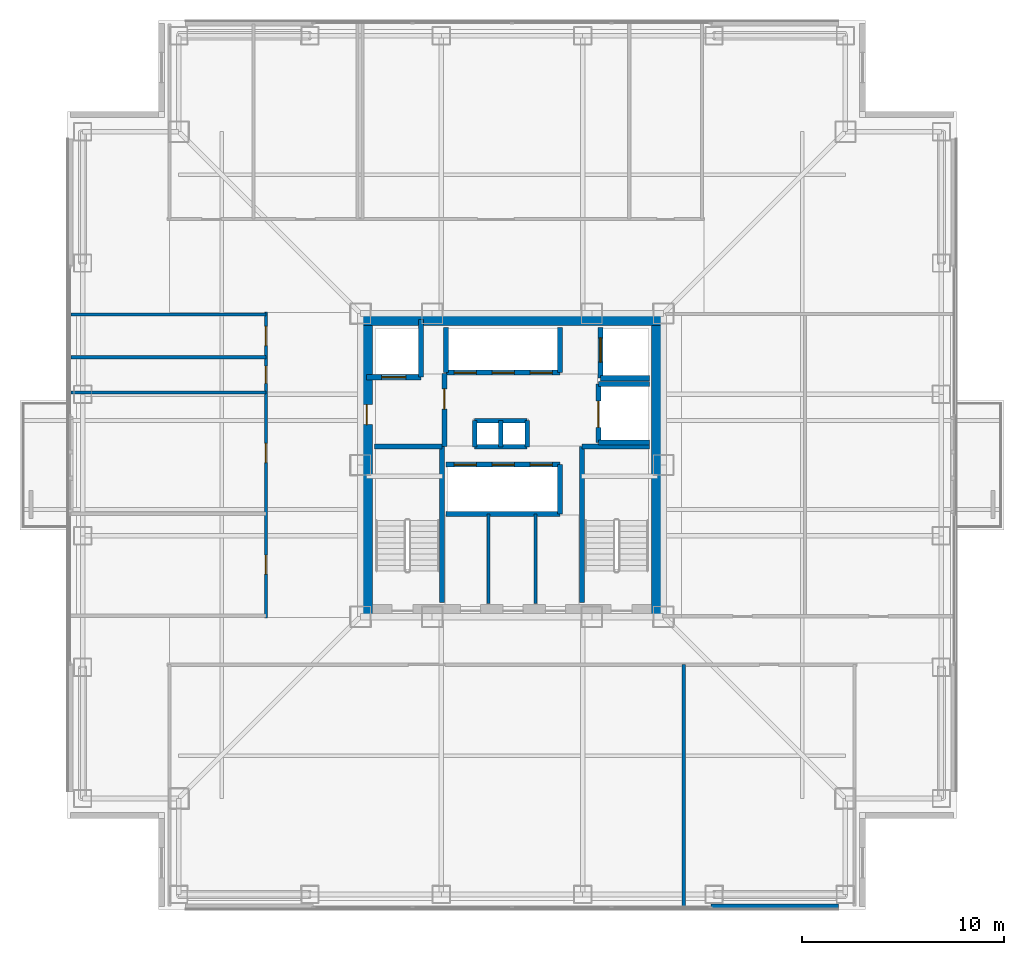
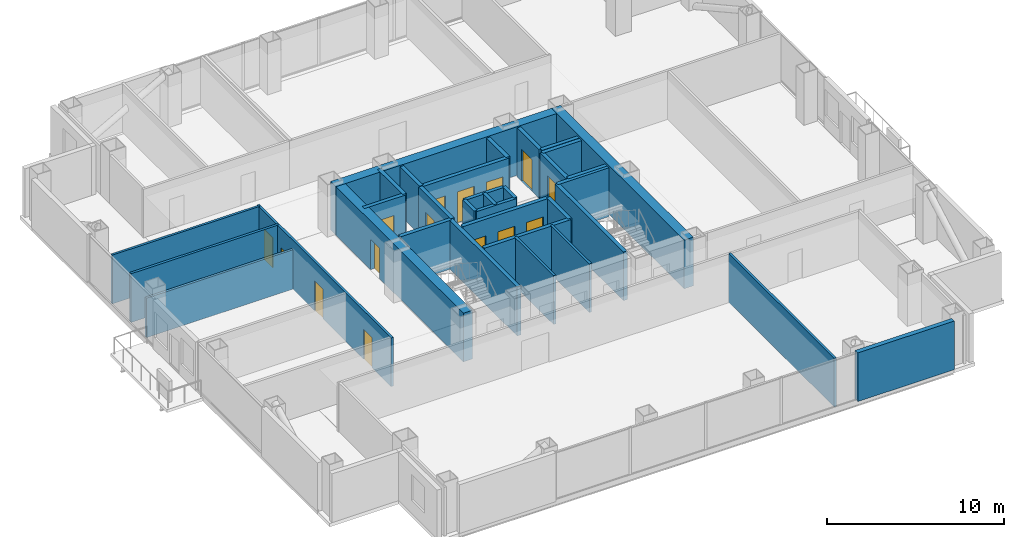
# One storey, part 12 of 16: 34 walls, 15 doors, 15 openings.
"""IFC4 building model written with IfcOpenShell, lengths in metres."""

from ifc_helpers import new_model, si_unit, direction, frame, frame_2d, origin, place, context, subcontext, project, spatial, rectangle, extrude, material, layer, layer_set, type_object, element, fill, save


model = new_model("IFC4")

# Units and contexts
model_context = context("Model", 3, precision=1e-05, world=origin(), true_north=direction((0.0, 1.0)))
body_context = subcontext(model_context, "Body", "Model", "MODEL_VIEW")
ifc_project = project(units=[si_unit("LENGTHUNIT", "METRE"), si_unit("AREAUNIT", "SQUARE_METRE"), si_unit("VOLUMEUNIT", "CUBIC_METRE"), si_unit("PLANEANGLEUNIT", "RADIAN"), si_unit("MASSUNIT", "GRAM", prefix="KILO")], contexts=[model_context])

# Site, building, storey
site_placement = place(None, origin())
site = spatial("IfcSite", under=ifc_project, at=site_placement, CompositionType="ELEMENT")
building_placement = place(site_placement, origin())
building = spatial("IfcBuilding", under=site, at=building_placement, Name="Trevonay Congress Spire", CompositionType="ELEMENT")
storey_placement = place(building_placement, frame((0.0, 0.0, 144.39990234375)))
storey = spatial("IfcBuildingStorey", under=building, at=storey_placement, Name="L37", CompositionType="ELEMENT", Elevation=144.39990234375)

# Wall
ifc_material_1 = material(Name="Concrete C60/75", Category="concrete")
ifc_layer_1 = layer(ifc_material_1, 0.60009765625, Name="Concrete C60/75")
ifc_layer_set_1 = layer_set([ifc_layer_1], Name="Concrete C60/75")
wall_type_1 = type_object("IfcWallType", Name="WAL-CORE-600", PredefinedType="SHEAR", material=ifc_layer_set_1)
wall_1_placement = place(storey_placement, frame((-7.5, 7.199951171875, 0.0), z_axis=(0.0, 0.0, 1.0), x_axis=(1.0, 0.0, 0.0)))
element("IfcWall", 1, at=wall_1_placement, inside=storey, type_object=wall_type_1, Name="L37 North structural core shear wall", PredefinedType="SHEAR", context=body_context, shape_type="SweptSolid", body=[
    extrude(rectangle(XDim=15.0, YDim=0.60009765625, at=frame_2d((7.5, 0.0))), origin(), (0.0, 0.0, 1.0), 3.360107421875),
])

# Wall, opening, door
wall_2_placement = place(storey_placement, frame((-7.199951171875, -7.5, 0.0), z_axis=(0.0, 0.0, 1.0), x_axis=(0.0, 1.0, 0.0)))
wall_2 = element("IfcWall", 2, at=wall_2_placement, inside=storey, type_object=wall_type_1, Name="L37 West structural core shear wall", PredefinedType="SHEAR", context=body_context, shape_type="SweptSolid", body=[
    extrude(rectangle(XDim=15.0, YDim=0.60009765625, at=frame_2d((7.5, 0.0))), origin(), (0.0, 0.0, 1.0), 3.360107421875),
])
opening_1_placement = place(wall_2_placement, frame((9.5, 0.0, 0.0)))
opening_1 = element("IfcOpeningElement", 3, at=opening_1_placement, cuts=wall_2, Name="Opening D06", PredefinedType="OPENING", context=body_context, shape_type="SweptSolid", body=[
    extrude(rectangle(XDim=1.0, YDim=2.080078125, at=frame_2d((0.5, 1.0400390625))), frame((0.0, 0.31005859375, 0.0), z_axis=(0.0, -1.0, 0.0), x_axis=(1.0, 0.0, 0.0)), (0.0, 0.0, 1.0), 0.6201171875),
])
ifc_material_2 = material(Name="Steel ASTM A572 Grade 50", Category="steel")
door_type_1 = type_object("IfcDoorType", Name="DOR-FIRE-100", OperationType="NOTDEFINED", PredefinedType="DOOR", material=ifc_material_2)
door_1_placement = place(opening_1_placement, origin())
door_1 = element("IfcDoor", 4, at=door_1_placement, inside=storey, type_object=door_type_1, Name="L37 Firefighting Lift Lobby West Corridor Door", OperationType="SINGLE_SWING_RIGHT", OverallHeight=2.080078125, OverallWidth=1.0, PredefinedType="DOOR", context=body_context, shape_type="SweptSolid", body=[
    extrude(rectangle(XDim=1.0, YDim=2.080078125, at=frame_2d((0.5, 1.0400390625))), frame((0.0, 0.02490234375, 0.0), z_axis=(0.0, -1.0, 0.0), x_axis=(1.0, 0.0, 0.0)), (0.0, 0.0, 1.0), 0.050048828125),
])
fill(opening_1, door_1)

# Wall
wall_3_placement = place(storey_placement, frame((7.199951171875, -7.5, 0.0), z_axis=(0.0, 0.0, 1.0), x_axis=(0.0, 1.0, 0.0)))
element("IfcWall", 5, at=wall_3_placement, inside=storey, type_object=wall_type_1, Name="L37 East structural core shear wall", PredefinedType="SHEAR", context=body_context, shape_type="SweptSolid", body=[
    extrude(rectangle(XDim=15.0, YDim=0.60009765625, at=frame_2d((7.5, 0.0))), origin(), (0.0, 0.0, 1.0), 3.360107421875),
])

# Wall, openings, doors
ifc_material_3 = material(Name="Concrete C40/50", Category="concrete")
ifc_layer_2 = layer(ifc_material_3, 0.14990234375, Name="Concrete C40/50")
ifc_layer_set_2 = layer_set([ifc_layer_2], Name="Concrete C40/50")
wall_type_2 = type_object("IfcWallType", Name="WAL-CORR-150", PredefinedType="PARTITIONING", material=ifc_layer_set_2)
wall_4_placement = place(storey_placement, frame((-12.179931640625, -7.570068359375, 0.0), z_axis=(0.0, 0.0, 1.0), x_axis=(0.0, 1.0, 0.0)))
wall_4 = element("IfcWall", 6, at=wall_4_placement, inside=storey, type_object=wall_type_2, Name="L37 interior wall WP-L37W-COR", PredefinedType="PARTITIONING", context=body_context, shape_type="SweptSolid", body=[
    extrude(rectangle(XDim=15.14013671875, YDim=0.14990234375, at=frame_2d((7.570068359375, 0.0))), origin(), (0.0, 0.0, 1.0), 3.360107421875),
])
opening_2_placement = place(wall_4_placement, frame((2.169921875, 0.0, 0.0)))
opening_2 = element("IfcOpeningElement", 7, at=opening_2_placement, cuts=wall_4, Name="Opening D07", PredefinedType="OPENING", context=body_context, shape_type="SweptSolid", body=[
    extrude(rectangle(XDim=0.949951171875, YDim=2.06005859375, at=frame_2d((0.47509765625, 1.030029296875))), frame((0.0, 0.0849609375, 0.0), z_axis=(0.0, -1.0, 0.0), x_axis=(1.0, 0.0, 0.0)), (0.0, 0.0, 1.0), 0.169921875),
])
opening_3_placement = place(wall_4_placement, frame((7.695068359375, 0.0, 0.0)))
opening_3 = element("IfcOpeningElement", 8, at=opening_3_placement, cuts=wall_4, Name="Opening D07", PredefinedType="OPENING", context=body_context, shape_type="SweptSolid", body=[
    extrude(rectangle(XDim=0.949951171875, YDim=2.06005859375, at=frame_2d((0.47509765625, 1.030029296875))), frame((0.0, 0.0849609375, 0.0), z_axis=(0.0, -1.0, 0.0), x_axis=(1.0, 0.0, 0.0)), (0.0, 0.0, 1.0), 0.169921875),
])
opening_4_placement = place(wall_4_placement, frame((11.614990234375, 0.0, 0.0)))
opening_4 = element("IfcOpeningElement", 9, at=opening_4_placement, cuts=wall_4, Name="Opening D10", PredefinedType="OPENING", context=body_context, shape_type="SweptSolid", body=[
    extrude(rectangle(XDim=0.85009765625, YDim=2.050048828125, at=frame_2d((0.425048828125, 1.02490234375))), frame((0.0, 0.0849609375, 0.0), z_axis=(0.0, -1.0, 0.0), x_axis=(1.0, 0.0, 0.0)), (0.0, 0.0, 1.0), 0.169921875),
])
opening_5_placement = place(wall_4_placement, frame((13.489990234375, 0.0, 0.0)))
opening_5 = element("IfcOpeningElement", 10, at=opening_5_placement, cuts=wall_4, Name="Opening D07", PredefinedType="OPENING", context=body_context, shape_type="SweptSolid", body=[
    extrude(rectangle(XDim=0.949951171875, YDim=2.06005859375, at=frame_2d((0.47509765625, 1.030029296875))), frame((0.0, 0.0849609375, 0.0), z_axis=(0.0, -1.0, 0.0), x_axis=(1.0, 0.0, 0.0)), (0.0, 0.0, 1.0), 0.169921875),
])
ifc_material_4 = material(Name="Pale Anodised Aluminium EN AW-6063-T6", Category="aluminium")
door_type_2 = type_object("IfcDoorType", Name="DOR-OFFICE-95", OperationType="NOTDEFINED", PredefinedType="DOOR", material=ifc_material_4)
door_2_placement = place(opening_2_placement, origin())
door_2 = element("IfcDoor", 11, at=door_2_placement, inside=storey, type_object=door_type_2, Name="L37 Television Broadcast Studio Door", OperationType="SINGLE_SWING_RIGHT", OverallHeight=2.06005859375, OverallWidth=0.949951171875, PredefinedType="DOOR", context=body_context, shape_type="SweptSolid", body=[
    extrude(rectangle(XDim=0.949951171875, YDim=2.06005859375, at=frame_2d((0.47509765625, 1.030029296875))), frame((0.0, 0.02490234375, 0.0), z_axis=(0.0, -1.0, 0.0), x_axis=(1.0, 0.0, 0.0)), (0.0, 0.0, 1.0), 0.050048828125),
])
fill(opening_2, door_2)
door_3_placement = place(opening_3_placement, origin())
door_3 = element("IfcDoor", 12, at=door_3_placement, inside=storey, type_object=door_type_2, Name="L37 Broadcast Control Office Door", OperationType="SINGLE_SWING_LEFT", OverallHeight=2.06005859375, OverallWidth=0.949951171875, PredefinedType="DOOR", context=body_context, shape_type="SweptSolid", body=[
    extrude(rectangle(XDim=0.949951171875, YDim=2.06005859375, at=frame_2d((0.47509765625, 1.030029296875))), frame((0.0, 0.02490234375, 0.0), z_axis=(0.0, -1.0, 0.0), x_axis=(1.0, 0.0, 0.0)), (0.0, 0.0, 1.0), 0.050048828125),
])
fill(opening_3, door_3)
door_4_placement = place(opening_5_placement, origin())
door_4 = element("IfcDoor", 13, at=door_4_placement, inside=storey, type_object=door_type_2, Name="L37 Floor Supplies and Copy Room Door", OperationType="SINGLE_SWING_LEFT", OverallHeight=2.06005859375, OverallWidth=0.949951171875, PredefinedType="DOOR", context=body_context, shape_type="SweptSolid", body=[
    extrude(rectangle(XDim=0.949951171875, YDim=2.06005859375, at=frame_2d((0.47509765625, 1.030029296875))), frame((0.0, 0.02490234375, 0.0), z_axis=(0.0, -1.0, 0.0), x_axis=(1.0, 0.0, 0.0)), (0.0, 0.0, 1.0), 0.050048828125),
])
fill(opening_5, door_4)
door_type_3 = type_object("IfcDoorType", Name="DOR-WC-85", OperationType="NOTDEFINED", PredefinedType="DOOR", material=ifc_material_4)
door_5_placement = place(opening_4_placement, origin())
door_5 = element("IfcDoor", 14, at=door_5_placement, inside=storey, type_object=door_type_3, Name="L37 Accessible WC Door", OperationType="SINGLE_SWING_RIGHT", OverallHeight=2.050048828125, OverallWidth=0.85009765625, PredefinedType="DOOR", context=body_context, shape_type="SweptSolid", body=[
    extrude(rectangle(XDim=0.85009765625, YDim=2.050048828125, at=frame_2d((0.425048828125, 1.02490234375))), frame((0.0, 0.02490234375, 0.0), z_axis=(0.0, -1.0, 0.0), x_axis=(1.0, 0.0, 0.0)), (0.0, 0.0, 1.0), 0.050048828125),
])
fill(opening_4, door_5)

# Walls
ifc_material_5 = material(Name="Precast concrete C40/50", Category="concrete")
ifc_layer_3 = layer(ifc_material_5, 0.300048828125, Name="Precast concrete C40/50")
ifc_layer_set_3 = layer_set([ifc_layer_3], Name="Precast concrete C40/50")
wall_type_3 = type_object("IfcWallType", Name="WAL-EXT-PRECAST-300", PredefinedType="SOLIDWALL", material=ifc_layer_set_3)
wall_5_placement = place(storey_placement, frame((9.85009765625, -21.8798828125, 0.0), z_axis=(0.0, 0.0, 1.0), x_axis=(1.0, 0.0, 0.0)))
element("IfcWall", 15, at=wall_5_placement, inside=storey, type_object=wall_type_3, Name="L37 SR braced-bay exterior pier wall", PredefinedType="SOLIDWALL", context=body_context, shape_type="SweptSolid", body=[
    extrude(rectangle(XDim=6.2998046875, YDim=0.300048828125, at=frame_2d((3.14990234375, 0.0))), origin(), (0.0, 0.0, 1.0), 3.360107421875),
])
ifc_layer_4 = layer(ifc_material_3, 0.14990234375, Name="Concrete C40/50")
ifc_layer_set_4 = layer_set([ifc_layer_4], Name="Concrete C40/50")
wall_type_4 = type_object("IfcWallType", Name="WAL-PART-150", PredefinedType="PARTITIONING", material=ifc_layer_set_4)
for number, where, z_axis, x_axis, name in (
    (16, (-1.169921875, -6.85009765625, 0.0), (0.0, 0.0, 1.0), (0.0, 1.0, 0.0), "L37 interior wall CW-F2A-L37"),
    (17, (1.169921875, -6.85009765625, 0.0), (0.0, 0.0, 1.0), (0.0, 1.0, 0.0), "L37 interior wall CW-F2B-L37"),
):
    element("IfcWall", number, at=place(storey_placement, frame(where, z_axis=z_axis, x_axis=x_axis)), inside=storey, type_object=wall_type_4, Name=name, PredefinedType="PARTITIONING", context=body_context, shape_type="SweptSolid", body=[
        extrude(rectangle(XDim=4.420166015625, YDim=0.14990234375, at=frame_2d((2.2099609375, 0.0))), origin(), (0.0, 0.0, 1.0), 3.360107421875),
    ])
wall_6_placement = place(storey_placement, frame((8.5, -21.820068359375, 0.0), z_axis=(0.0, 0.0, 1.0), x_axis=(0.0, 1.0, 0.0)))
element("IfcWall", 18, at=wall_6_placement, inside=storey, type_object=wall_type_4, Name="L37 interior wall WP-L37S-DIV2", PredefinedType="PARTITIONING", context=body_context, shape_type="SweptSolid", body=[
    extrude(rectangle(XDim=11.940185546875, YDim=0.14990234375, at=frame_2d((5.97021484375, 0.0))), origin(), (0.0, 0.0, 1.0), 3.360107421875),
])
wall_7_placement = place(storey_placement, frame((-21.820068359375, 3.60009765625, 0.0), z_axis=(0.0, 0.0, 1.0), x_axis=(1.0, 0.0, 0.0)))
element("IfcWall", 19, at=wall_7_placement, inside=storey, type_object=wall_type_4, Name="L37 interior wall WP-L37W-DIV3", PredefinedType="PARTITIONING", context=body_context, shape_type="SweptSolid", body=[
    extrude(rectangle(XDim=9.64013671875, YDim=0.14990234375, at=frame_2d((4.820068359375, 0.0))), origin(), (0.0, 0.0, 1.0), 2.718017578125),
])
wall_8_placement = place(storey_placement, frame((-21.820068359375, 7.449951171875, 0.0), z_axis=(0.0, 0.0, 1.0), x_axis=(1.0, 0.0, 0.0)))
element("IfcWall", 20, at=wall_8_placement, inside=storey, type_object=wall_type_4, Name="L37 interior wall WP-L37W-DIV4", PredefinedType="PARTITIONING", context=body_context, shape_type="SweptSolid", body=[
    extrude(rectangle(XDim=9.64013671875, YDim=0.14990234375, at=frame_2d((4.820068359375, 0.0))), origin(), (0.0, 0.0, 1.0), 3.360107421875),
])
ifc_layer_5 = layer(ifc_material_3, 0.219970703125, Name="Concrete C40/50")
ifc_layer_set_5 = layer_set([ifc_layer_5], Name="Concrete C40/50")
wall_type_5 = type_object("IfcWallType", Name="WAL-SHAFT-220", PredefinedType="PARTITIONING", material=ifc_layer_set_5)
for number, where, z_axis, x_axis, name in (
    (21, (-1.85009765625, 2.199951171875, 0.0), (0.0, 0.0, 1.0), (1.0, 0.0, 0.0), "L37 interior shaft wall WSH-L37-RSR-N"),
    (22, (-1.85009765625, 0.89990234375, 0.0), (0.0, 0.0, 1.0), (1.0, 0.0, 0.0), "L37 interior shaft wall WSH-L37-RSR-S"),
):
    element("IfcWall", number, at=place(storey_placement, frame(where, z_axis=z_axis, x_axis=x_axis)), inside=storey, type_object=wall_type_5, Name=name, PredefinedType="PARTITIONING", context=body_context, shape_type="SweptSolid", body=[
        extrude(rectangle(XDim=2.60009765625, YDim=0.219970703125, at=frame_2d((1.300048828125, 0.0))), origin(), (0.0, 0.0, 1.0), 3.360107421875),
    ])
for number, where, z_axis, x_axis, name in (
    (23, (-0.550048828125, 0.89990234375, 0.0), (0.0, 0.0, 1.0), (0.0, 1.0, 0.0), "L37 interior shaft wall WSH-L37-RSR-M"),
    (24, (0.75, 0.89990234375, 0.0), (0.0, 0.0, 1.0), (0.0, 1.0, 0.0), "L37 interior shaft wall WSH-L37-RSR-E"),
    (25, (-1.85009765625, 0.89990234375, 0.0), (0.0, 0.0, 1.0), (0.0, 1.0, 0.0), "L37 interior shaft wall WSH-L37-RSR-W"),
):
    element("IfcWall", number, at=place(storey_placement, frame(where, z_axis=z_axis, x_axis=x_axis)), inside=storey, type_object=wall_type_5, Name=name, PredefinedType="PARTITIONING", context=body_context, shape_type="SweptSolid", body=[
        extrude(rectangle(XDim=1.300048828125, YDim=0.219970703125, at=frame_2d((0.64990234375, 0.0))), origin(), (0.0, 0.0, 1.0), 3.360107421875),
    ])

# Wall, openings, doors
ifc_layer_6 = layer(ifc_material_3, 0.25, Name="Concrete C40/50")
ifc_layer_set_6 = layer_set([ifc_layer_6], Name="Concrete C40/50")
wall_type_6 = type_object("IfcWallType", Name="WAL-SHAFT-250", PredefinedType="SHEAR", material=ifc_layer_set_6)
wall_9_placement = place(storey_placement, frame((-3.260009765625, 0.02001953125, 0.0), z_axis=(0.0, 0.0, 1.0), x_axis=(1.0, 0.0, 0.0)))
wall_9 = element("IfcWall", 26, at=wall_9_placement, inside=storey, type_object=wall_type_6, Name="L37 interior shaft wall WSH-L37-B2-N", PredefinedType="SHEAR", context=body_context, shape_type="SweptSolid", body=[
    extrude(rectangle(XDim=5.639892578125, YDim=0.25, at=frame_2d((2.81982421875, 0.0))), origin(), (0.0, 0.0, 1.0), 3.360107421875),
])
opening_6_placement = place(wall_9_placement, frame((0.39990234375, 0.0, 0.0)))
opening_6 = element("IfcOpeningElement", 27, at=opening_6_placement, cuts=wall_9, Name="Opening LD02", PredefinedType="OPENING", context=body_context, shape_type="SweptSolid", body=[
    extrude(rectangle(XDim=1.10009765625, YDim=2.199951171875, at=frame_2d((0.550048828125, 1.10009765625))), frame((0.0, 0.135009765625, 0.0), z_axis=(0.0, -1.0, 0.0), x_axis=(1.0, 0.0, 0.0)), (0.0, 0.0, 1.0), 0.27001953125),
])
opening_7_placement = place(wall_9_placement, frame((2.280029296875, 0.0, 0.0)))
opening_7 = element("IfcOpeningElement", 28, at=opening_7_placement, cuts=wall_9, Name="Opening LD02", PredefinedType="OPENING", context=body_context, shape_type="SweptSolid", body=[
    extrude(rectangle(XDim=1.10009765625, YDim=2.199951171875, at=frame_2d((0.550048828125, 1.10009765625))), frame((0.0, 0.135009765625, 0.0), z_axis=(0.0, -1.0, 0.0), x_axis=(1.0, 0.0, 0.0)), (0.0, 0.0, 1.0), 0.27001953125),
])
opening_8_placement = place(wall_9_placement, frame((4.159912109375, 0.0, 0.0)))
opening_8 = element("IfcOpeningElement", 29, at=opening_8_placement, cuts=wall_9, Name="Opening LD02", PredefinedType="OPENING", context=body_context, shape_type="SweptSolid", body=[
    extrude(rectangle(XDim=1.10009765625, YDim=2.199951171875, at=frame_2d((0.550048828125, 1.10009765625))), frame((0.0, 0.135009765625, 0.0), z_axis=(0.0, -1.0, 0.0), x_axis=(1.0, 0.0, 0.0)), (0.0, 0.0, 1.0), 0.27001953125),
])
door_type_4 = type_object("IfcDoorType", Name="DOR-LIFT-LD02", OperationType="DOUBLE_DOOR_SLIDING", PredefinedType="DOOR", material=ifc_material_4)
door_6_placement = place(opening_6_placement, origin())
door_6 = element("IfcDoor", 30, at=door_6_placement, inside=storey, type_object=door_type_4, Name="L37 Passenger lift PL-04 landing door", OperationType="DOUBLE_DOOR_SLIDING", OverallHeight=2.199951171875, OverallWidth=1.10009765625, PredefinedType="DOOR", context=body_context, shape_type="SweptSolid", body=[
    extrude(rectangle(XDim=1.10009765625, YDim=2.199951171875, at=frame_2d((0.550048828125, 1.10009765625))), frame((0.0, 0.02490234375, 0.0), z_axis=(0.0, -1.0, 0.0), x_axis=(1.0, 0.0, 0.0)), (0.0, 0.0, 1.0), 0.050048828125),
])
fill(opening_6, door_6)
door_7_placement = place(opening_7_placement, origin())
door_7 = element("IfcDoor", 31, at=door_7_placement, inside=storey, type_object=door_type_4, Name="L37 Passenger lift PL-05 landing door", OperationType="DOUBLE_DOOR_SLIDING", OverallHeight=2.199951171875, OverallWidth=1.10009765625, PredefinedType="DOOR", context=body_context, shape_type="SweptSolid", body=[
    extrude(rectangle(XDim=1.10009765625, YDim=2.199951171875, at=frame_2d((0.550048828125, 1.10009765625))), frame((0.0, 0.02490234375, 0.0), z_axis=(0.0, -1.0, 0.0), x_axis=(1.0, 0.0, 0.0)), (0.0, 0.0, 1.0), 0.050048828125),
])
fill(opening_7, door_7)
door_8_placement = place(opening_8_placement, origin())
door_8 = element("IfcDoor", 32, at=door_8_placement, inside=storey, type_object=door_type_4, Name="L37 Passenger lift PL-06 landing door", OperationType="DOUBLE_DOOR_SLIDING", OverallHeight=2.199951171875, OverallWidth=1.10009765625, PredefinedType="DOOR", context=body_context, shape_type="SweptSolid", body=[
    extrude(rectangle(XDim=1.10009765625, YDim=2.199951171875, at=frame_2d((0.550048828125, 1.10009765625))), frame((0.0, 0.02490234375, 0.0), z_axis=(0.0, -1.0, 0.0), x_axis=(1.0, 0.0, 0.0)), (0.0, 0.0, 1.0), 0.050048828125),
])
fill(opening_8, door_8)

# Walls
wall_10_placement = place(storey_placement, frame((-3.260009765625, -2.419921875, 0.0), z_axis=(0.0, 0.0, 1.0), x_axis=(1.0, 0.0, 0.0)))
element("IfcWall", 33, at=wall_10_placement, inside=storey, type_object=wall_type_6, Name="L37 interior shaft wall WSH-L37-B2-S", PredefinedType="SHEAR", context=body_context, shape_type="SweptSolid", body=[
    extrude(rectangle(XDim=5.639892578125, YDim=0.25, at=frame_2d((2.81982421875, 0.0))), origin(), (0.0, 0.0, 1.0), 3.360107421875),
])
wall_11_placement = place(storey_placement, frame((2.3798828125, -2.419921875, 0.0), z_axis=(0.0, 0.0, 1.0), x_axis=(0.0, 1.0, 0.0)))
element("IfcWall", 34, at=wall_11_placement, inside=storey, type_object=wall_type_6, Name="L37 interior shaft wall WSH-L37-B2-E", PredefinedType="SHEAR", context=body_context, shape_type="SweptSolid", body=[
    extrude(rectangle(XDim=2.43994140625, YDim=0.25, at=frame_2d((1.219970703125, 0.0))), origin(), (0.0, 0.0, 1.0), 3.360107421875),
])

# Wall, openings, doors
wall_12_placement = place(storey_placement, frame((-3.260009765625, 4.580078125, 0.0), z_axis=(0.0, 0.0, 1.0), x_axis=(1.0, 0.0, 0.0)))
wall_12 = element("IfcWall", 35, at=wall_12_placement, inside=storey, type_object=wall_type_6, Name="L37 interior shaft wall WSH-L37-B3-S", PredefinedType="SHEAR", context=body_context, shape_type="SweptSolid", body=[
    extrude(rectangle(XDim=5.639892578125, YDim=0.25, at=frame_2d((2.81982421875, 0.0))), origin(), (0.0, 0.0, 1.0), 3.360107421875),
])
opening_9_placement = place(wall_12_placement, frame((0.39990234375, 0.0, 0.0)))
opening_9 = element("IfcOpeningElement", 36, at=opening_9_placement, cuts=wall_12, Name="Opening LD03", PredefinedType="OPENING", context=body_context, shape_type="SweptSolid", body=[
    extrude(rectangle(XDim=1.10009765625, YDim=2.199951171875, at=frame_2d((0.550048828125, 1.10009765625))), frame((0.0, 0.135009765625, 0.0), z_axis=(0.0, -1.0, 0.0), x_axis=(1.0, 0.0, 0.0)), (0.0, 0.0, 1.0), 0.27001953125),
])
opening_10_placement = place(wall_12_placement, frame((2.280029296875, 0.0, 0.0)))
opening_10 = element("IfcOpeningElement", 37, at=opening_10_placement, cuts=wall_12, Name="Opening LD03", PredefinedType="OPENING", context=body_context, shape_type="SweptSolid", body=[
    extrude(rectangle(XDim=1.10009765625, YDim=2.199951171875, at=frame_2d((0.550048828125, 1.10009765625))), frame((0.0, 0.135009765625, 0.0), z_axis=(0.0, -1.0, 0.0), x_axis=(1.0, 0.0, 0.0)), (0.0, 0.0, 1.0), 0.27001953125),
])
opening_11_placement = place(wall_12_placement, frame((4.159912109375, 0.0, 0.0)))
opening_11 = element("IfcOpeningElement", 38, at=opening_11_placement, cuts=wall_12, Name="Opening LD03", PredefinedType="OPENING", context=body_context, shape_type="SweptSolid", body=[
    extrude(rectangle(XDim=1.10009765625, YDim=2.199951171875, at=frame_2d((0.550048828125, 1.10009765625))), frame((0.0, 0.135009765625, 0.0), z_axis=(0.0, -1.0, 0.0), x_axis=(1.0, 0.0, 0.0)), (0.0, 0.0, 1.0), 0.27001953125),
])
door_type_5 = type_object("IfcDoorType", Name="DOR-LIFT-LD03", OperationType="DOUBLE_DOOR_SLIDING", PredefinedType="DOOR", material=ifc_material_4)
door_9_placement = place(opening_9_placement, origin())
door_9 = element("IfcDoor", 39, at=door_9_placement, inside=storey, type_object=door_type_5, Name="L37 Passenger lift PL-07 landing door", OperationType="DOUBLE_DOOR_SLIDING", OverallHeight=2.199951171875, OverallWidth=1.10009765625, PredefinedType="DOOR", context=body_context, shape_type="SweptSolid", body=[
    extrude(rectangle(XDim=1.10009765625, YDim=2.199951171875, at=frame_2d((0.550048828125, 1.10009765625))), frame((0.0, 0.02490234375, 0.0), z_axis=(0.0, -1.0, 0.0), x_axis=(1.0, 0.0, 0.0)), (0.0, 0.0, 1.0), 0.050048828125),
])
fill(opening_9, door_9)
door_10_placement = place(opening_10_placement, origin())
door_10 = element("IfcDoor", 40, at=door_10_placement, inside=storey, type_object=door_type_5, Name="L37 Passenger lift PL-08 landing door", OperationType="DOUBLE_DOOR_SLIDING", OverallHeight=2.199951171875, OverallWidth=1.10009765625, PredefinedType="DOOR", context=body_context, shape_type="SweptSolid", body=[
    extrude(rectangle(XDim=1.10009765625, YDim=2.199951171875, at=frame_2d((0.550048828125, 1.10009765625))), frame((0.0, 0.02490234375, 0.0), z_axis=(0.0, -1.0, 0.0), x_axis=(1.0, 0.0, 0.0)), (0.0, 0.0, 1.0), 0.050048828125),
])
fill(opening_10, door_10)
door_11_placement = place(opening_11_placement, origin())
door_11 = element("IfcDoor", 41, at=door_11_placement, inside=storey, type_object=door_type_5, Name="L37 Passenger lift PL-09 landing door", OperationType="DOUBLE_DOOR_SLIDING", OverallHeight=2.199951171875, OverallWidth=1.10009765625, PredefinedType="DOOR", context=body_context, shape_type="SweptSolid", body=[
    extrude(rectangle(XDim=1.10009765625, YDim=2.199951171875, at=frame_2d((0.550048828125, 1.10009765625))), frame((0.0, 0.02490234375, 0.0), z_axis=(0.0, -1.0, 0.0), x_axis=(1.0, 0.0, 0.0)), (0.0, 0.0, 1.0), 0.050048828125),
])
fill(opening_11, door_11)

# Walls
for number, where, z_axis, x_axis, name in (
    (42, (-3.260009765625, 4.580078125, 0.0), (0.0, 0.0, 1.0), (0.0, 1.0, 0.0), "L37 interior shaft wall WSH-L37-B3-W"),
    (43, (2.3798828125, 4.580078125, 0.0), (0.0, 0.0, 1.0), (0.0, 1.0, 0.0), "L37 interior shaft wall WSH-L37-B3-E"),
):
    element("IfcWall", number, at=place(storey_placement, frame(where, z_axis=z_axis, x_axis=x_axis)), inside=storey, type_object=wall_type_6, Name=name, PredefinedType="SHEAR", context=body_context, shape_type="SweptSolid", body=[
        extrude(rectangle(XDim=2.219970703125, YDim=0.25, at=frame_2d((1.10986328125, 0.0))), origin(), (0.0, 0.0, 1.0), 3.360107421875),
    ])

# Wall, opening, door
wall_13_placement = place(storey_placement, frame((-7.199951171875, 4.35009765625, 0.0), z_axis=(0.0, 0.0, 1.0), x_axis=(1.0, 0.0, 0.0)))
wall_13 = element("IfcWall", 44, at=wall_13_placement, inside=storey, type_object=wall_type_6, Name="L37 interior shaft wall WSH-L37-FF1-S", PredefinedType="SHEAR", context=body_context, shape_type="SweptSolid", body=[
    extrude(rectangle(XDim=2.699951171875, YDim=0.25, at=frame_2d((1.35009765625, 0.0))), origin(), (0.0, 0.0, 1.0), 3.360107421875),
])
opening_12_placement = place(wall_13_placement, frame((0.75, 0.0, 0.0)))
opening_12 = element("IfcOpeningElement", 45, at=opening_12_placement, cuts=wall_13, Name="Opening LD04", PredefinedType="OPENING", context=body_context, shape_type="SweptSolid", body=[
    extrude(rectangle(XDim=1.199951171875, YDim=2.199951171875, at=frame_2d((0.60009765625, 1.10009765625))), frame((0.0, 0.135009765625, 0.0), z_axis=(0.0, -1.0, 0.0), x_axis=(1.0, 0.0, 0.0)), (0.0, 0.0, 1.0), 0.27001953125),
])
door_type_6 = type_object("IfcDoorType", Name="DOR-LIFT-LD04", OperationType="DOUBLE_DOOR_SLIDING", PredefinedType="DOOR", material=ifc_material_2)
door_12_placement = place(opening_12_placement, origin())
door_12 = element("IfcDoor", 46, at=door_12_placement, inside=storey, type_object=door_type_6, Name="L37 Firefighting lift FFL-01 landing door", OperationType="DOUBLE_DOOR_SLIDING", OverallHeight=2.199951171875, OverallWidth=1.199951171875, PredefinedType="DOOR", context=body_context, shape_type="SweptSolid", body=[
    extrude(rectangle(XDim=1.199951171875, YDim=2.199951171875, at=frame_2d((0.60009765625, 1.10009765625))), frame((0.0, 0.02490234375, 0.0), z_axis=(0.0, -1.0, 0.0), x_axis=(1.0, 0.0, 0.0)), (0.0, 0.0, 1.0), 0.050048828125),
])
fill(opening_12, door_12)

# Walls
wall_14_placement = place(storey_placement, frame((-4.5, 4.35009765625, 0.0), z_axis=(0.0, 0.0, 1.0), x_axis=(0.0, 1.0, 0.0)))
element("IfcWall", 47, at=wall_14_placement, inside=storey, type_object=wall_type_6, Name="L37 interior shaft wall WSH-L37-FF1-E", PredefinedType="SHEAR", context=body_context, shape_type="SweptSolid", body=[
    extrude(rectangle(XDim=2.849853515625, YDim=0.25, at=frame_2d((1.4248046875, 0.0))), origin(), (0.0, 0.0, 1.0), 3.360107421875),
])
wall_15_placement = place(storey_placement, frame((4.3798828125, 4.300048828125, 0.0), z_axis=(0.0, 0.0, 1.0), x_axis=(1.0, 0.0, 0.0)))
element("IfcWall", 48, at=wall_15_placement, inside=storey, type_object=wall_type_6, Name="L37 interior shaft wall WSH-L37-FF2-S", PredefinedType="SHEAR", context=body_context, shape_type="SweptSolid", body=[
    extrude(rectangle(XDim=2.420166015625, YDim=0.25, at=frame_2d((1.2099609375, 0.0))), origin(), (0.0, 0.0, 1.0), 3.360107421875),
])

# Wall, opening, door
wall_16_placement = place(storey_placement, frame((4.3798828125, 4.300048828125, 0.0), z_axis=(0.0, 0.0, 1.0), x_axis=(0.0, 1.0, 0.0)))
wall_16 = element("IfcWall", 49, at=wall_16_placement, inside=storey, type_object=wall_type_6, Name="L37 interior shaft wall WSH-L37-FF2-W", PredefinedType="SHEAR", context=body_context, shape_type="SweptSolid", body=[
    extrude(rectangle(XDim=2.5, YDim=0.25, at=frame_2d((1.25, 0.0))), origin(), (0.0, 0.0, 1.0), 3.360107421875),
])
opening_13_placement = place(wall_16_placement, frame((0.800048828125, 0.0, 0.0)))
opening_13 = element("IfcOpeningElement", 50, at=opening_13_placement, cuts=wall_16, Name="Opening LD04", PredefinedType="OPENING", context=body_context, shape_type="SweptSolid", body=[
    extrude(rectangle(XDim=1.199951171875, YDim=2.199951171875, at=frame_2d((0.60009765625, 1.10009765625))), frame((0.0, 0.135009765625, 0.0), z_axis=(0.0, -1.0, 0.0), x_axis=(1.0, 0.0, 0.0)), (0.0, 0.0, 1.0), 0.27001953125),
])
door_13_placement = place(opening_13_placement, origin())
door_13 = element("IfcDoor", 51, at=door_13_placement, inside=storey, type_object=door_type_6, Name="L37 Firefighting lift FFL-02 landing door", OperationType="DOUBLE_DOOR_SLIDING", OverallHeight=2.199951171875, OverallWidth=1.199951171875, PredefinedType="DOOR", context=body_context, shape_type="SweptSolid", body=[
    extrude(rectangle(XDim=1.199951171875, YDim=2.199951171875, at=frame_2d((0.60009765625, 1.10009765625))), frame((0.0, 0.02490234375, 0.0), z_axis=(0.0, -1.0, 0.0), x_axis=(1.0, 0.0, 0.0)), (0.0, 0.0, 1.0), 0.050048828125),
])
fill(opening_13, door_13)

wall_17_placement = place(storey_placement, frame((4.280029296875, 1.1201171875, 0.0), z_axis=(0.0, 0.0, 1.0), x_axis=(0.0, 1.0, 0.0)))
wall_17 = element("IfcWall", 52, at=wall_17_placement, inside=storey, type_object=wall_type_6, Name="L37 interior shaft wall WSH-L37-SV-W", PredefinedType="SHEAR", context=body_context, shape_type="SweptSolid", body=[
    extrude(rectangle(XDim=2.89990234375, YDim=0.25, at=frame_2d((1.449951171875, 0.0))), origin(), (0.0, 0.0, 1.0), 3.360107421875),
])
opening_14_placement = place(wall_17_placement, frame((0.75, 0.0, 0.0)))
opening_14 = element("IfcOpeningElement", 53, at=opening_14_placement, cuts=wall_17, Name="Opening LD05", PredefinedType="OPENING", context=body_context, shape_type="SweptSolid", body=[
    extrude(rectangle(XDim=1.300048828125, YDim=2.300048828125, at=frame_2d((0.64990234375, 1.14990234375))), frame((0.0, 0.135009765625, 0.0), z_axis=(0.0, -1.0, 0.0), x_axis=(1.0, 0.0, 0.0)), (0.0, 0.0, 1.0), 0.27001953125),
])
door_type_7 = type_object("IfcDoorType", Name="DOR-LIFT-LD05", OperationType="DOUBLE_DOOR_SLIDING", PredefinedType="DOOR", material=ifc_material_2)
door_14_placement = place(opening_14_placement, origin())
door_14 = element("IfcDoor", 54, at=door_14_placement, inside=storey, type_object=door_type_7, Name="L37 Goods lift SVL-01 landing door", OperationType="DOUBLE_DOOR_SLIDING", OverallHeight=2.300048828125, OverallWidth=1.300048828125, PredefinedType="DOOR", context=body_context, shape_type="SweptSolid", body=[
    extrude(rectangle(XDim=1.300048828125, YDim=2.300048828125, at=frame_2d((0.64990234375, 1.14990234375))), frame((0.0, 0.02490234375, 0.0), z_axis=(0.0, -1.0, 0.0), x_axis=(1.0, 0.0, 0.0)), (0.0, 0.0, 1.0), 0.050048828125),
])
fill(opening_14, door_14)

# Walls
for number, where, z_axis, x_axis, name in (
    (55, (4.280029296875, 1.1201171875, 0.0), (0.0, 0.0, 1.0), (1.0, 0.0, 0.0), "L37 interior shaft wall WSH-L37-SV-S"),
    (56, (4.280029296875, 4.02001953125, 0.0), (0.0, 0.0, 1.0), (1.0, 0.0, 0.0), "L37 interior shaft wall WSH-L37-SV-N"),
):
    element("IfcWall", number, at=place(storey_placement, frame(where, z_axis=z_axis, x_axis=x_axis)), inside=storey, type_object=wall_type_6, Name=name, PredefinedType="SHEAR", context=body_context, shape_type="SweptSolid", body=[
        extrude(rectangle(XDim=2.52001953125, YDim=0.25, at=frame_2d((1.260009765625, 0.0))), origin(), (0.0, 0.0, 1.0), 3.360107421875),
    ])

# Wall, opening, door
wall_18_placement = place(storey_placement, frame((-3.35009765625, 0.919921875, 0.0), z_axis=(0.0, 0.0, 1.0), x_axis=(0.0, 1.0, 0.0)))
wall_18 = element("IfcWall", 57, at=wall_18_placement, inside=storey, type_object=wall_type_6, Name="L37 interior wall CW-FFLW-E-L37", PredefinedType="SHEAR", context=body_context, shape_type="SweptSolid", body=[
    extrude(rectangle(XDim=3.6201171875, YDim=0.25, at=frame_2d((1.81005859375, 0.0))), origin(), (0.0, 0.0, 1.0), 3.360107421875),
])
opening_15_placement = place(wall_18_placement, frame((1.85009765625, 0.0, 0.0)))
opening_15 = element("IfcOpeningElement", 58, at=opening_15_placement, cuts=wall_18, Name="Opening D06", PredefinedType="OPENING", context=body_context, shape_type="SweptSolid", body=[
    extrude(rectangle(XDim=1.0, YDim=2.080078125, at=frame_2d((0.5, 1.0400390625))), frame((0.0, 0.135009765625, 0.0), z_axis=(0.0, -1.0, 0.0), x_axis=(1.0, 0.0, 0.0)), (0.0, 0.0, 1.0), 0.27001953125),
])
door_15_placement = place(opening_15_placement, origin())
door_15 = element("IfcDoor", 59, at=door_15_placement, inside=storey, type_object=door_type_1, Name="L37 Firefighting Core Lobby Transfer Door", OperationType="SINGLE_SWING_RIGHT", OverallHeight=2.080078125, OverallWidth=1.0, PredefinedType="DOOR", context=body_context, shape_type="SweptSolid", body=[
    extrude(rectangle(XDim=1.0, YDim=2.080078125, at=frame_2d((0.5, 1.0400390625))), frame((0.0, 0.02490234375, 0.0), z_axis=(0.0, -1.0, 0.0), x_axis=(1.0, 0.0, 0.0)), (0.0, 0.0, 1.0), 0.050048828125),
])
fill(opening_15, door_15)

# Walls
ifc_layer_7 = layer(ifc_material_3, 0.25, Name="Concrete C40/50")
ifc_layer_set_7 = layer_set([ifc_layer_7], Name="Concrete C40/50")
wall_type_7 = type_object("IfcWallType", Name="WAL-SHAFT-LB-250", PredefinedType="SHEAR", material=ifc_layer_set_7)
wall_19_placement = place(storey_placement, frame((-3.469970703125, -6.800048828125, 0.0), z_axis=(0.0, 0.0, 1.0), x_axis=(0.0, 1.0, 0.0)))
element("IfcWall", 60, at=wall_19_placement, inside=storey, type_object=wall_type_7, Name="L37 interior shaft wall WSH-L37-ST1-E", PredefinedType="SHEAR", context=body_context, shape_type="SweptSolid", body=[
    extrude(rectangle(XDim=7.719970703125, YDim=0.25, at=frame_2d((3.85986328125, 0.0))), origin(), (0.0, 0.0, 1.0), 3.360107421875),
])
wall_20_placement = place(storey_placement, frame((-6.800048828125, 0.919921875, 0.0), z_axis=(0.0, 0.0, 1.0), x_axis=(1.0, 0.0, 0.0)))
element("IfcWall", 61, at=wall_20_placement, inside=storey, type_object=wall_type_7, Name="L37 interior shaft wall WSH-L37-ST1-N", PredefinedType="SHEAR", context=body_context, shape_type="SweptSolid", body=[
    extrude(rectangle(XDim=3.330078125, YDim=0.25, at=frame_2d((1.6650390625, 0.0))), origin(), (0.0, 0.0, 1.0), 3.360107421875),
])
wall_21_placement = place(storey_placement, frame((3.469970703125, -6.800048828125, 0.0), z_axis=(0.0, 0.0, 1.0), x_axis=(0.0, 1.0, 0.0)))
element("IfcWall", 62, at=wall_21_placement, inside=storey, type_object=wall_type_7, Name="L37 interior shaft wall WSH-L37-ST2-W", PredefinedType="SHEAR", context=body_context, shape_type="SweptSolid", body=[
    extrude(rectangle(XDim=7.719970703125, YDim=0.25, at=frame_2d((3.85986328125, 0.0))), origin(), (0.0, 0.0, 1.0), 3.360107421875),
])
wall_22_placement = place(storey_placement, frame((3.469970703125, 0.919921875, 0.0), z_axis=(0.0, 0.0, 1.0), x_axis=(1.0, 0.0, 0.0)))
element("IfcWall", 63, at=wall_22_placement, inside=storey, type_object=wall_type_7, Name="L37 interior shaft wall WSH-L37-ST2-N", PredefinedType="SHEAR", context=body_context, shape_type="SweptSolid", body=[
    extrude(rectangle(XDim=3.330078125, YDim=0.25, at=frame_2d((1.6650390625, 0.0))), origin(), (0.0, 0.0, 1.0), 3.360107421875),
])
ifc_layer_8 = layer(ifc_material_3, 0.1650390625, Name="Concrete C40/50")
ifc_layer_set_8 = layer_set([ifc_layer_8], Name="Concrete C40/50")
wall_type_8 = type_object("IfcWallType", Name="WAL-WET-165", PredefinedType="PLUMBINGWALL", material=ifc_layer_set_8)
wall_23_placement = place(storey_placement, frame((-21.820068359375, 5.340087890625, 0.0), z_axis=(0.0, 0.0, 1.0), x_axis=(1.0, 0.0, 0.0)))
element("IfcWall", 64, at=wall_23_placement, inside=storey, type_object=wall_type_8, Name="L37 interior wall WP-L37W-WCS3", PredefinedType="PLUMBINGWALL", context=body_context, shape_type="SweptSolid", body=[
    extrude(rectangle(XDim=9.64013671875, YDim=0.1650390625, at=frame_2d((4.820068359375, 0.0))), origin(), (0.0, 0.0, 1.0), 3.360107421875),
])

save(model, "model.ifc")
